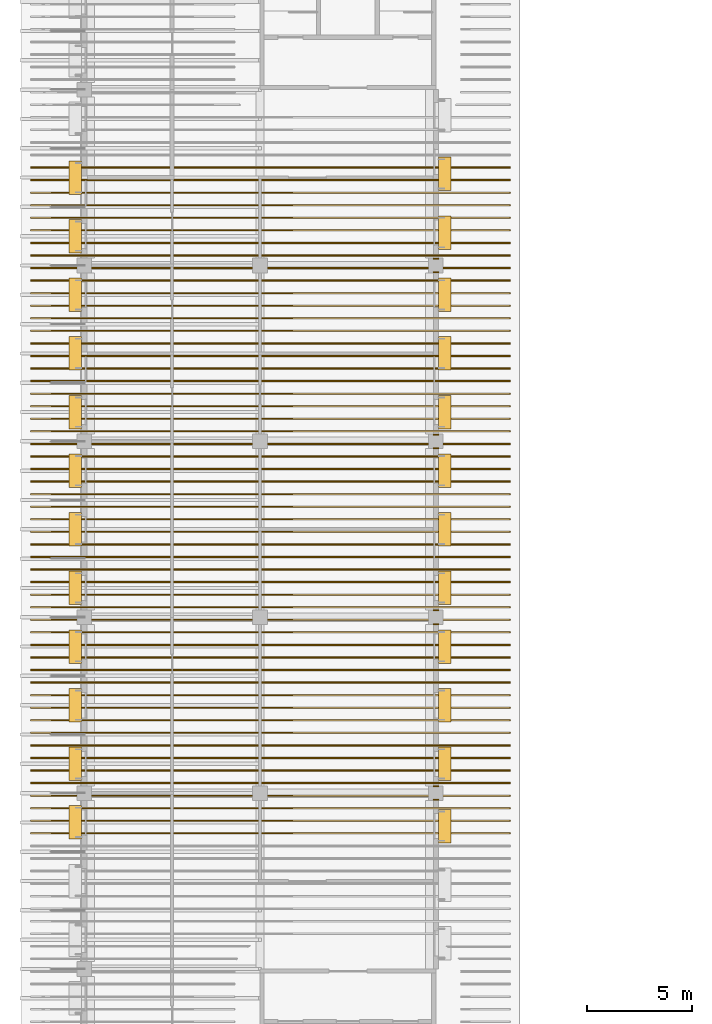
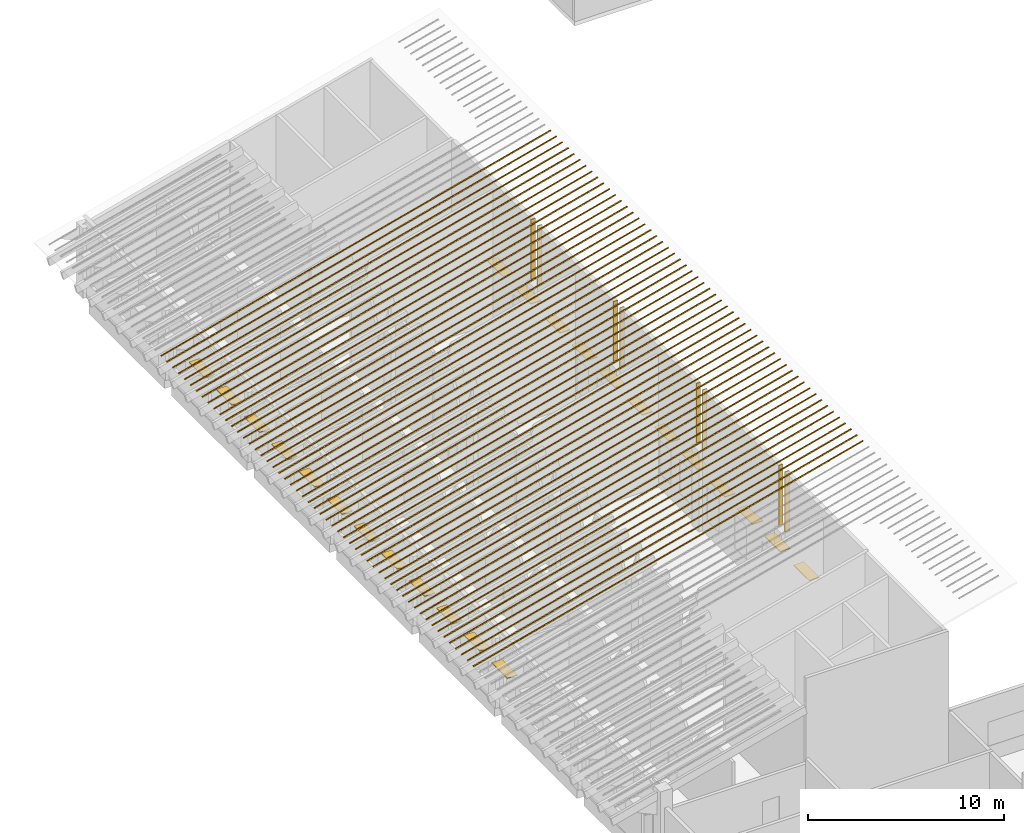
# One storey, part 53 of 82: 62 coverings, 24 shading devices.
"""IFC4 building model written with IfcOpenShell, lengths in metres."""

import ifcopenshell
import ifcopenshell.guid

model = None  # the IFC model being written
_history = None  # IfcOwnerHistory: only IFC2X3 demands one
_inside = {}  # id of a spatial element -> (the spatial element, [elements in it])
_under = {}  # id of a project, library or spatial element -> (it, [spatial elements below it])
_declared = {}  # id of a project -> (the project, [libraries it declares])
_typed = {}  # id of a type object -> (the type object, [elements of that type])
_made_of = {}  # id of a material, layer set ... -> (it, [elements and type objects made of it])


def new_model(schema):
    """Start an empty IFC model of exactly this schema.

    Asked for "IFC4X3", IfcOpenShell would pick the latest addendum, in which some entities
    have other attributes; the version numbers below select the first issue.
    IFC2X3 requires an IfcOwnerHistory on every rooted entity: one is made here for all.
    """
    global model, _history
    if schema == "IFC4X3":
        model = ifcopenshell.file(schema_version=(4, 3, 0, 0))
    else:
        model = ifcopenshell.file(schema=schema)
    _inside.clear()
    _under.clear()
    _declared.clear()
    _typed.clear()
    _made_of.clear()
    _history = None
    if model.schema == "IFC2X3":
        org = make("IfcOrganization", Name="unknown")
        user = make(
            "IfcPersonAndOrganization",
            ThePerson=make("IfcPerson", FamilyName="unknown"),
            TheOrganization=org,
        )
        app = make(
            "IfcApplication",
            ApplicationDeveloper=org,
            Version="unknown",
            ApplicationFullName="unknown",
            ApplicationIdentifier="unknown",
        )
        _history = make(
            "IfcOwnerHistory",
            OwningUser=user,
            OwningApplication=app,
            ChangeAction="ADDED",
            CreationDate=0,
        )
    return model


def make(cls, **values):
    """One entity of the class cls with the attributes given. An attribute that is None is left unset."""
    return model.create_entity(
        cls, **{name: value for name, value in values.items() if value is not None}
    )


def rooted(cls, **values):
    """An entity with a GlobalId (a new one), such as an element, a storey or a relation."""
    return make(cls, GlobalId=ifcopenshell.guid.new(), OwnerHistory=_history, **values)


def si_unit(unit_type, name, prefix=None):
    """IfcSIUnit, for example si_unit("LENGTHUNIT", "METRE", prefix="MILLI")."""
    return make("IfcSIUnit", UnitType=unit_type, Prefix=prefix, Name=name)


def assignment(units):
    """IfcUnitAssignment: the units of a project."""
    return None if units is None else make("IfcUnitAssignment", Units=units)


def point(xyz):
    """IfcCartesianPoint."""
    return None if xyz is None else make("IfcCartesianPoint", Coordinates=xyz)


def direction(xyz):
    """IfcDirection."""
    return None if xyz is None else make("IfcDirection", DirectionRatios=xyz)


def frame(location, z_axis=None, x_axis=None):
    """IfcAxis2Placement3D, a coordinate frame: its origin and axes. An axis left out is left unset."""
    return make(
        "IfcAxis2Placement3D",
        Location=point(location),
        Axis=direction(z_axis),
        RefDirection=direction(x_axis),
    )


def frame_2d(location, x_axis=None):
    """IfcAxis2Placement2D, a coordinate frame in the plane: its origin and x axis."""
    return make(
        "IfcAxis2Placement2D", Location=point(location), RefDirection=direction(x_axis)
    )


def origin():
    """The frame at (0, 0, 0) with its axes left unset."""
    return frame((0.0, 0.0, 0.0))


def origin_2d():
    """The frame at (0, 0) in the plane with its x axis left unset."""
    return frame_2d((0.0, 0.0))


def place(relative_to, where):
    """IfcLocalPlacement: puts the frame where relative to a parent placement (None: the world)."""
    return make(
        "IfcLocalPlacement", PlacementRelTo=relative_to, RelativePlacement=where
    )


def context(
    kind, dimensions, precision=None, world=None, true_north=None, identifier=None
):
    """IfcGeometricRepresentationContext, for example the 3D "Model" context."""
    return make(
        "IfcGeometricRepresentationContext",
        ContextIdentifier=identifier,
        ContextType=kind,
        CoordinateSpaceDimension=dimensions,
        Precision=precision,
        WorldCoordinateSystem=world,
        TrueNorth=true_north,
    )


def subcontext(parent, identifier, kind, view, scale=None):
    """IfcGeometricRepresentationSubContext, for example "Body" below "Model"."""
    return make(
        "IfcGeometricRepresentationSubContext",
        ContextIdentifier=identifier,
        ContextType=kind,
        ParentContext=parent,
        TargetScale=scale,
        TargetView=view,
    )


def project(units=None, contexts=None):
    """IfcProject with its units and contexts."""
    return rooted(
        "IfcProject",
        Name="project",
        RepresentationContexts=contexts,
        UnitsInContext=assignment(units),
    )


def spatial(cls, under=None, at=None, **own):
    """A site, building, storey or space (cls), placed at a placement, below another one or the project."""
    s = rooted(cls, ObjectPlacement=at, **own)
    if under is not None:
        _under.setdefault(under.id(), (under, []))[1].append(s)
    return s


def polyline(points):
    """IfcPolyline through the points."""
    return make("IfcPolyline", Points=[point(p) for p in points])


def profile(cls, at=None, kind="AREA", **sizes):
    """A parametric profile (cls). Its sizes go by their IFC names, for example OverallWidth=200.0."""
    return make(cls, ProfileType=kind, Position=at, **sizes)


def rectangle(**sizes):
    """IfcRectangleProfileDef."""
    return profile("IfcRectangleProfileDef", **sizes)


def outline(outer, holes=None, kind="AREA"):
    """IfcArbitraryClosedProfileDef: a profile drawn as a closed curve; with holes, ...WithVoids."""
    if holes is None:
        return make("IfcArbitraryClosedProfileDef", ProfileType=kind, OuterCurve=outer)
    return make(
        "IfcArbitraryProfileDefWithVoids",
        ProfileType=kind,
        OuterCurve=outer,
        InnerCurves=holes,
    )


def extrude(swept, where, along, depth):
    """IfcExtrudedAreaSolid: the profile swept, set in the frame where, extruded along a direction by depth."""
    return make(
        "IfcExtrudedAreaSolid",
        SweptArea=swept,
        Position=where,
        ExtrudedDirection=direction(along),
        Depth=depth,
    )


def shape(context_of_items, identifier, shape_type, items):
    """IfcShapeRepresentation: the items that make up one representation, for example the "Body"."""
    return make(
        "IfcShapeRepresentation",
        ContextOfItems=context_of_items,
        RepresentationIdentifier=identifier,
        RepresentationType=shape_type,
        Items=items,
    )


def material(Name=None, Category=None):
    """IfcMaterial."""
    return make("IfcMaterial", Name=Name, Category=Category)


def layer(
    of_material, thickness, ventilated=None, Name=None, Category=None, Priority=None
):
    """IfcMaterialLayer: one layer of a wall or slab, of a material (None: an air gap)."""
    return make(
        "IfcMaterialLayer",
        Material=of_material,
        LayerThickness=thickness,
        IsVentilated=ventilated,
        Name=Name,
        Category=Category,
        Priority=Priority,
    )


def layer_set(layers, Name=None):
    """IfcMaterialLayerSet."""
    return make("IfcMaterialLayerSet", MaterialLayers=layers, LayerSetName=Name)


def material_profile(
    of_material, cross_section, Name=None, Category=None, Priority=None
):
    """IfcMaterialProfile: a cross section and its material."""
    return make(
        "IfcMaterialProfile",
        Name=Name,
        Material=of_material,
        Profile=cross_section,
        Priority=Priority,
        Category=Category,
    )


def profile_set(profiles, Name=None, composite=None):
    """IfcMaterialProfileSet."""
    return make(
        "IfcMaterialProfileSet",
        Name=Name,
        MaterialProfiles=profiles,
        CompositeProfile=composite,
    )


def made_of(thing, what):
    """Note that an element or type object is made of a material, layer set ...; save() writes the relation."""
    if what is not None:
        _made_of.setdefault(what.id(), (what, []))[1].append(thing)
    return thing


def type_object(cls, material=None, **own):
    """A type object (cls), such as IfcWallType, which elements share."""
    return made_of(rooted(cls, **own), material)


def element(
    cls,
    number,
    at=None,
    inside=None,
    cuts=None,
    type_object=None,
    material=None,
    context=None,
    identifier="Body",
    shape_type=None,
    held_by="IfcProductDefinitionShape",
    body=None,
    shapes=None,
    **own,
):
    """One element of the class cls, such as IfcWall. Its Tag is "e" and its number.

    at: its placement. inside: the storey or other place that contains it. cuts: it is an
    opening in that element (IfcRelVoidsElement). A single representation is given by context,
    identifier, shape_type and body (its items); several are given by shapes. held_by: the class
    of the entity that holds the representations. save() writes the other relations.
    """
    e = rooted(cls, Tag="e%d" % number, ObjectPlacement=at, **own)
    if body is not None:
        shapes = [shape(context, identifier, shape_type, body)]
    if shapes is not None:
        e.Representation = make(held_by, Representations=shapes)
    if inside is not None:
        _inside.setdefault(inside.id(), (inside, []))[1].append(e)
    if cuts is not None:
        rooted(
            "IfcRelVoidsElement", RelatingBuildingElement=cuts, RelatedOpeningElement=e
        )
    if type_object is not None:
        _typed.setdefault(type_object.id(), (type_object, []))[1].append(e)
    return made_of(e, material)


def aggregate(whole, parts):
    """IfcRelAggregates: a whole, such as a stair, and the parts it consists of."""
    return rooted("IfcRelAggregates", RelatingObject=whole, RelatedObjects=parts)


def save(model, path):
    """Write the relations noted so far, then the file.

    IfcRelAggregates (storeys below a building ...), IfcRelContainedInSpatialStructure (elements
    in a storey), IfcRelDefinesByType, IfcRelAssociatesMaterial and IfcRelDeclares: one each for
    every whole, place, type object, material and project.
    """
    for whole, parts in _under.values():
        aggregate(whole, parts)
    for where, things in _inside.values():
        rooted(
            "IfcRelContainedInSpatialStructure",
            RelatedElements=things,
            RelatingStructure=where,
        )
    for kind, things in _typed.values():
        rooted("IfcRelDefinesByType", RelatedObjects=things, RelatingType=kind)
    for what, things in _made_of.values():
        rooted("IfcRelAssociatesMaterial", RelatedObjects=things, RelatingMaterial=what)
    for by, libraries in _declared.values():
        rooted("IfcRelDeclares", RelatingContext=by, RelatedDefinitions=libraries)
    model.write(path)


model = new_model("IFC4")

# Units and contexts
model_context = context("Model", 3, precision=1e-05, world=origin(), true_north=direction((0.0, 1.0)))
body_context = subcontext(model_context, "Body", "Model", "MODEL_VIEW")
ifc_project = project(units=[si_unit("LENGTHUNIT", "METRE"), si_unit("AREAUNIT", "SQUARE_METRE"), si_unit("VOLUMEUNIT", "CUBIC_METRE"), si_unit("PLANEANGLEUNIT", "RADIAN"), si_unit("MASSUNIT", "GRAM", prefix="KILO")], contexts=[model_context])

# Site, building, storey
site_placement = place(None, origin())
site = spatial("IfcSite", under=ifc_project, at=site_placement, CompositionType="ELEMENT")
building_placement = place(site_placement, origin())
building = spatial("IfcBuilding", under=site, at=building_placement, Name="Almond Square Museum", CompositionType="ELEMENT")
storey_placement = place(building_placement, frame((0.0, 0.0, 20.0)))
storey = spatial("IfcBuildingStorey", under=building, at=storey_placement, Name="L03", CompositionType="ELEMENT", Elevation=20.0)

# Coverings
ifc_material_1 = material(Name="Zinc standing seam")
ifc_layer_1 = layer(ifc_material_1, 0.0400390625)
ifc_layer_set_1 = layer_set([ifc_layer_1], Name="Zinc standing seam")
covering_type_1 = type_object("IfcCoveringType", Name="Roof standing seam rib 60 x 40", PredefinedType="CLADDING", material=ifc_layer_set_1)
for number, where, z_axis, x_axis, name in (
    (1, (26.35009765625, 31.7099609375, 10.329833984375), (-0.253365136604, 0.0, 0.96737071878), (-0.96737071878, 0.0, -0.253365136604), "Roof standing seam rib"),
    (2, (26.35009765625, 32.31005859375, 10.329833984375), (-0.253365136604, 0.0, 0.96737071878), (-0.96737071878, 0.0, -0.253365136604), "Roof standing seam rib"),
):
    element("IfcCovering", number, at=place(storey_placement, frame(where, z_axis=z_axis, x_axis=x_axis)), inside=storey, type_object=covering_type_1, Name=name, PredefinedType="CLADDING", context=body_context, shape_type="SweptSolid", body=[
        extrude(outline(polyline([(0.0, 0.0), (23.672565273884217, 0.0), (23.672565273884217, 0.060058593750000014), (0.0, 0.060058593750000014), (0.0, 0.0)])), origin(), (0.0, 0.0, 1.0), 0.0400390625),
    ])
covering_1_placement = place(storey_placement, frame((26.35009765625, 32.909912109375, 10.329833984375), z_axis=(-0.253365136604, 0.0, 0.96737071878), x_axis=(-0.96737071878, 0.0, -0.253365136604)))
element("IfcCovering", 3, at=covering_1_placement, inside=storey, type_object=covering_type_1, Name="Roof standing seam rib", PredefinedType="CLADDING", context=body_context, shape_type="SweptSolid", body=[
    extrude(outline(polyline([(0.0, 0.0), (23.672565273884217, 0.0), (23.672565273884217, 0.059814453125000014), (0.0, 0.059814453125000014), (0.0, 0.0)])), origin(), (0.0, 0.0, 1.0), 0.0400390625),
])
for number, where, z_axis, x_axis, name in (
    (4, (26.35009765625, 33.510009765625, 10.329833984375), (-0.253365136604, 0.0, 0.96737071878), (-0.96737071878, 0.0, -0.253365136604), "Roof standing seam rib"),
    (5, (26.35009765625, 34.110107421875, 10.329833984375), (-0.253365136604, 0.0, 0.96737071878), (-0.96737071878, 0.0, -0.253365136604), "Roof standing seam rib"),
    (6, (26.35009765625, 34.7099609375, 10.329833984375), (-0.253365136604, 0.0, 0.96737071878), (-0.96737071878, 0.0, -0.253365136604), "Roof standing seam rib"),
    (7, (26.35009765625, 35.31005859375, 10.329833984375), (-0.253365136604, 0.0, 0.96737071878), (-0.96737071878, 0.0, -0.253365136604), "Roof standing seam rib"),
):
    element("IfcCovering", number, at=place(storey_placement, frame(where, z_axis=z_axis, x_axis=x_axis)), inside=storey, type_object=covering_type_1, Name=name, PredefinedType="CLADDING", context=body_context, shape_type="SweptSolid", body=[
        extrude(outline(polyline([(0.0, 0.0), (23.672565273884217, 0.0), (23.672565273884217, 0.060058593750000014), (0.0, 0.060058593750000014), (0.0, 0.0)])), origin(), (0.0, 0.0, 1.0), 0.0400390625),
    ])
covering_2_placement = place(storey_placement, frame((26.35009765625, 35.909912109375, 10.329833984375), z_axis=(-0.253365136604, 0.0, 0.96737071878), x_axis=(-0.96737071878, 0.0, -0.253365136604)))
element("IfcCovering", 8, at=covering_2_placement, inside=storey, type_object=covering_type_1, Name="Roof standing seam rib", PredefinedType="CLADDING", context=body_context, shape_type="SweptSolid", body=[
    extrude(outline(polyline([(0.0, 0.0), (23.672565273884217, 0.0), (23.672565273884217, 0.059814453125000014), (0.0, 0.059814453125000014), (0.0, 0.0)])), origin(), (0.0, 0.0, 1.0), 0.0400390625),
])
for number, where, z_axis, x_axis, name in (
    (9, (26.35009765625, 36.510009765625, 10.329833984375), (-0.253365136604, 0.0, 0.96737071878), (-0.96737071878, 0.0, -0.253365136604), "Roof standing seam rib"),
    (10, (26.35009765625, 37.110107421875, 10.329833984375), (-0.253365136604, 0.0, 0.96737071878), (-0.96737071878, 0.0, -0.253365136604), "Roof standing seam rib"),
    (11, (26.35009765625, 37.7099609375, 10.329833984375), (-0.253365136604, 0.0, 0.96737071878), (-0.96737071878, 0.0, -0.253365136604), "Roof standing seam rib"),
    (12, (26.35009765625, 38.31005859375, 10.329833984375), (-0.253365136604, 0.0, 0.96737071878), (-0.96737071878, 0.0, -0.253365136604), "Roof standing seam rib"),
):
    element("IfcCovering", number, at=place(storey_placement, frame(where, z_axis=z_axis, x_axis=x_axis)), inside=storey, type_object=covering_type_1, Name=name, PredefinedType="CLADDING", context=body_context, shape_type="SweptSolid", body=[
        extrude(outline(polyline([(0.0, 0.0), (23.672565273884217, 0.0), (23.672565273884217, 0.060058593750000014), (0.0, 0.060058593750000014), (0.0, 0.0)])), origin(), (0.0, 0.0, 1.0), 0.0400390625),
    ])
covering_3_placement = place(storey_placement, frame((26.35009765625, 38.909912109375, 10.329833984375), z_axis=(-0.253365136604, 0.0, 0.96737071878), x_axis=(-0.96737071878, 0.0, -0.253365136604)))
element("IfcCovering", 13, at=covering_3_placement, inside=storey, type_object=covering_type_1, Name="Roof standing seam rib", PredefinedType="CLADDING", context=body_context, shape_type="SweptSolid", body=[
    extrude(outline(polyline([(0.0, 0.0), (23.672565273884217, 0.0), (23.672565273884217, 0.059814453125000014), (0.0, 0.059814453125000014), (0.0, 0.0)])), origin(), (0.0, 0.0, 1.0), 0.0400390625),
])
for number, where, z_axis, x_axis, name in (
    (14, (26.35009765625, 39.510009765625, 10.329833984375), (-0.253365136604, 0.0, 0.96737071878), (-0.96737071878, 0.0, -0.253365136604), "Roof standing seam rib"),
    (15, (26.35009765625, 40.110107421875, 10.329833984375), (-0.253365136604, 0.0, 0.96737071878), (-0.96737071878, 0.0, -0.253365136604), "Roof standing seam rib"),
    (16, (26.35009765625, 40.7099609375, 10.329833984375), (-0.253365136604, 0.0, 0.96737071878), (-0.96737071878, 0.0, -0.253365136604), "Roof standing seam rib"),
    (17, (26.35009765625, 41.31005859375, 10.329833984375), (-0.253365136604, 0.0, 0.96737071878), (-0.96737071878, 0.0, -0.253365136604), "Roof standing seam rib"),
):
    element("IfcCovering", number, at=place(storey_placement, frame(where, z_axis=z_axis, x_axis=x_axis)), inside=storey, type_object=covering_type_1, Name=name, PredefinedType="CLADDING", context=body_context, shape_type="SweptSolid", body=[
        extrude(outline(polyline([(0.0, 0.0), (23.672565273884217, 0.0), (23.672565273884217, 0.060058593750000014), (0.0, 0.060058593750000014), (0.0, 0.0)])), origin(), (0.0, 0.0, 1.0), 0.0400390625),
    ])
covering_4_placement = place(storey_placement, frame((26.35009765625, 41.909912109375, 10.329833984375), z_axis=(-0.253365136604, 0.0, 0.96737071878), x_axis=(-0.96737071878, 0.0, -0.253365136604)))
element("IfcCovering", 18, at=covering_4_placement, inside=storey, type_object=covering_type_1, Name="Roof standing seam rib", PredefinedType="CLADDING", context=body_context, shape_type="SweptSolid", body=[
    extrude(outline(polyline([(0.0, 0.0), (23.672565273884217, 0.0), (23.672565273884217, 0.059814453125000014), (0.0, 0.059814453125000014), (0.0, 0.0)])), origin(), (0.0, 0.0, 1.0), 0.0400390625),
])
for number, where, z_axis, x_axis, name in (
    (19, (26.35009765625, 42.510009765625, 10.329833984375), (-0.253365136604, 0.0, 0.96737071878), (-0.96737071878, 0.0, -0.253365136604), "Roof standing seam rib"),
    (20, (26.35009765625, 43.110107421875, 10.329833984375), (-0.253365136604, 0.0, 0.96737071878), (-0.96737071878, 0.0, -0.253365136604), "Roof standing seam rib"),
    (21, (26.35009765625, 43.7099609375, 10.329833984375), (-0.253365136604, 0.0, 0.96737071878), (-0.96737071878, 0.0, -0.253365136604), "Roof standing seam rib"),
    (22, (26.35009765625, 44.31005859375, 10.329833984375), (-0.253365136604, 0.0, 0.96737071878), (-0.96737071878, 0.0, -0.253365136604), "Roof standing seam rib"),
):
    element("IfcCovering", number, at=place(storey_placement, frame(where, z_axis=z_axis, x_axis=x_axis)), inside=storey, type_object=covering_type_1, Name=name, PredefinedType="CLADDING", context=body_context, shape_type="SweptSolid", body=[
        extrude(outline(polyline([(0.0, 0.0), (23.672565273884217, 0.0), (23.672565273884217, 0.060058593750000014), (0.0, 0.060058593750000014), (0.0, 0.0)])), origin(), (0.0, 0.0, 1.0), 0.0400390625),
    ])
covering_5_placement = place(storey_placement, frame((26.35009765625, 44.909912109375, 10.329833984375), z_axis=(-0.253365136604, 0.0, 0.96737071878), x_axis=(-0.96737071878, 0.0, -0.253365136604)))
element("IfcCovering", 23, at=covering_5_placement, inside=storey, type_object=covering_type_1, Name="Roof standing seam rib", PredefinedType="CLADDING", context=body_context, shape_type="SweptSolid", body=[
    extrude(outline(polyline([(0.0, 0.0), (23.672565273884217, 0.0), (23.672565273884217, 0.059814453125000014), (0.0, 0.059814453125000014), (0.0, 0.0)])), origin(), (0.0, 0.0, 1.0), 0.0400390625),
])
for number, where, z_axis, x_axis, name in (
    (24, (26.35009765625, 45.510009765625, 10.329833984375), (-0.253365136604, 0.0, 0.96737071878), (-0.96737071878, 0.0, -0.253365136604), "Roof standing seam rib"),
    (25, (26.35009765625, 46.110107421875, 10.329833984375), (-0.253365136604, 0.0, 0.96737071878), (-0.96737071878, 0.0, -0.253365136604), "Roof standing seam rib"),
    (26, (26.35009765625, 46.7099609375, 10.329833984375), (-0.253365136604, 0.0, 0.96737071878), (-0.96737071878, 0.0, -0.253365136604), "Roof standing seam rib"),
    (27, (26.35009765625, 47.31005859375, 10.329833984375), (-0.253365136604, 0.0, 0.96737071878), (-0.96737071878, 0.0, -0.253365136604), "Roof standing seam rib"),
):
    element("IfcCovering", number, at=place(storey_placement, frame(where, z_axis=z_axis, x_axis=x_axis)), inside=storey, type_object=covering_type_1, Name=name, PredefinedType="CLADDING", context=body_context, shape_type="SweptSolid", body=[
        extrude(outline(polyline([(0.0, 0.0), (23.672565273884217, 0.0), (23.672565273884217, 0.060058593750000014), (0.0, 0.060058593750000014), (0.0, 0.0)])), origin(), (0.0, 0.0, 1.0), 0.0400390625),
    ])
covering_6_placement = place(storey_placement, frame((26.35009765625, 47.909912109375, 10.329833984375), z_axis=(-0.253365136604, 0.0, 0.96737071878), x_axis=(-0.96737071878, 0.0, -0.253365136604)))
element("IfcCovering", 28, at=covering_6_placement, inside=storey, type_object=covering_type_1, Name="Roof standing seam rib", PredefinedType="CLADDING", context=body_context, shape_type="SweptSolid", body=[
    extrude(outline(polyline([(0.0, 0.0), (23.672565273884217, 0.0), (23.672565273884217, 0.059814453125000014), (0.0, 0.059814453125000014), (0.0, 0.0)])), origin(), (0.0, 0.0, 1.0), 0.0400390625),
])
for number, where, z_axis, x_axis, name in (
    (29, (26.35009765625, 48.510009765625, 10.329833984375), (-0.253365136604, 0.0, 0.96737071878), (-0.96737071878, 0.0, -0.253365136604), "Roof standing seam rib"),
    (30, (26.35009765625, 49.110107421875, 10.329833984375), (-0.253365136604, 0.0, 0.96737071878), (-0.96737071878, 0.0, -0.253365136604), "Roof standing seam rib"),
    (31, (26.35009765625, 49.7099609375, 10.329833984375), (-0.253365136604, 0.0, 0.96737071878), (-0.96737071878, 0.0, -0.253365136604), "Roof standing seam rib"),
    (32, (26.35009765625, 50.31005859375, 10.329833984375), (-0.253365136604, 0.0, 0.96737071878), (-0.96737071878, 0.0, -0.253365136604), "Roof standing seam rib"),
):
    element("IfcCovering", number, at=place(storey_placement, frame(where, z_axis=z_axis, x_axis=x_axis)), inside=storey, type_object=covering_type_1, Name=name, PredefinedType="CLADDING", context=body_context, shape_type="SweptSolid", body=[
        extrude(outline(polyline([(0.0, 0.0), (23.672565273884217, 0.0), (23.672565273884217, 0.060058593750000014), (0.0, 0.060058593750000014), (0.0, 0.0)])), origin(), (0.0, 0.0, 1.0), 0.0400390625),
    ])
covering_7_placement = place(storey_placement, frame((26.35009765625, 50.909912109375, 10.329833984375), z_axis=(-0.253365136604, 0.0, 0.96737071878), x_axis=(-0.96737071878, 0.0, -0.253365136604)))
element("IfcCovering", 33, at=covering_7_placement, inside=storey, type_object=covering_type_1, Name="Roof standing seam rib", PredefinedType="CLADDING", context=body_context, shape_type="SweptSolid", body=[
    extrude(outline(polyline([(0.0, 0.0), (23.672565273884217, 0.0), (23.672565273884217, 0.059814453125000014), (0.0, 0.059814453125000014), (0.0, 0.0)])), origin(), (0.0, 0.0, 1.0), 0.0400390625),
])
for number, where, z_axis, x_axis, name in (
    (34, (26.35009765625, 51.510009765625, 10.329833984375), (-0.253365136604, 0.0, 0.96737071878), (-0.96737071878, 0.0, -0.253365136604), "Roof standing seam rib"),
    (35, (26.35009765625, 52.110107421875, 10.329833984375), (-0.253365136604, 0.0, 0.96737071878), (-0.96737071878, 0.0, -0.253365136604), "Roof standing seam rib"),
    (36, (26.35009765625, 52.7099609375, 10.329833984375), (-0.253365136604, 0.0, 0.96737071878), (-0.96737071878, 0.0, -0.253365136604), "Roof standing seam rib"),
    (37, (26.35009765625, 53.31005859375, 10.329833984375), (-0.253365136604, 0.0, 0.96737071878), (-0.96737071878, 0.0, -0.253365136604), "Roof standing seam rib"),
):
    element("IfcCovering", number, at=place(storey_placement, frame(where, z_axis=z_axis, x_axis=x_axis)), inside=storey, type_object=covering_type_1, Name=name, PredefinedType="CLADDING", context=body_context, shape_type="SweptSolid", body=[
        extrude(outline(polyline([(0.0, 0.0), (23.672565273884217, 0.0), (23.672565273884217, 0.060058593750000014), (0.0, 0.060058593750000014), (0.0, 0.0)])), origin(), (0.0, 0.0, 1.0), 0.0400390625),
    ])
covering_8_placement = place(storey_placement, frame((26.35009765625, 53.909912109375, 10.329833984375), z_axis=(-0.253365136604, 0.0, 0.96737071878), x_axis=(-0.96737071878, 0.0, -0.253365136604)))
element("IfcCovering", 38, at=covering_8_placement, inside=storey, type_object=covering_type_1, Name="Roof standing seam rib", PredefinedType="CLADDING", context=body_context, shape_type="SweptSolid", body=[
    extrude(outline(polyline([(0.0, 0.0), (23.672565273884217, 0.0), (23.672565273884217, 0.059814453125000014), (0.0, 0.059814453125000014), (0.0, 0.0)])), origin(), (0.0, 0.0, 1.0), 0.0400390625),
])
for number, where, z_axis, x_axis, name in (
    (39, (26.35009765625, 54.510009765625, 10.329833984375), (-0.253365136604, 0.0, 0.96737071878), (-0.96737071878, 0.0, -0.253365136604), "Roof standing seam rib"),
    (40, (26.35009765625, 55.110107421875, 10.329833984375), (-0.253365136604, 0.0, 0.96737071878), (-0.96737071878, 0.0, -0.253365136604), "Roof standing seam rib"),
    (41, (26.35009765625, 55.7099609375, 10.329833984375), (-0.253365136604, 0.0, 0.96737071878), (-0.96737071878, 0.0, -0.253365136604), "Roof standing seam rib"),
    (42, (26.35009765625, 56.31005859375, 10.329833984375), (-0.253365136604, 0.0, 0.96737071878), (-0.96737071878, 0.0, -0.253365136604), "Roof standing seam rib"),
):
    element("IfcCovering", number, at=place(storey_placement, frame(where, z_axis=z_axis, x_axis=x_axis)), inside=storey, type_object=covering_type_1, Name=name, PredefinedType="CLADDING", context=body_context, shape_type="SweptSolid", body=[
        extrude(outline(polyline([(0.0, 0.0), (23.672565273884217, 0.0), (23.672565273884217, 0.060058593750000014), (0.0, 0.060058593750000014), (0.0, 0.0)])), origin(), (0.0, 0.0, 1.0), 0.0400390625),
    ])
covering_9_placement = place(storey_placement, frame((26.35009765625, 56.909912109375, 10.329833984375), z_axis=(-0.253365136604, 0.0, 0.96737071878), x_axis=(-0.96737071878, 0.0, -0.253365136604)))
element("IfcCovering", 43, at=covering_9_placement, inside=storey, type_object=covering_type_1, Name="Roof standing seam rib", PredefinedType="CLADDING", context=body_context, shape_type="SweptSolid", body=[
    extrude(outline(polyline([(0.0, 0.0), (23.672565273884217, 0.0), (23.672565273884217, 0.059814453125000014), (0.0, 0.059814453125000014), (0.0, 0.0)])), origin(), (0.0, 0.0, 1.0), 0.0400390625),
])
for number, where, z_axis, x_axis, name in (
    (44, (26.35009765625, 57.510009765625, 10.329833984375), (-0.253365136604, 0.0, 0.96737071878), (-0.96737071878, 0.0, -0.253365136604), "Roof standing seam rib"),
    (45, (26.35009765625, 58.110107421875, 10.329833984375), (-0.253365136604, 0.0, 0.96737071878), (-0.96737071878, 0.0, -0.253365136604), "Roof standing seam rib"),
    (46, (26.35009765625, 58.7099609375, 10.329833984375), (-0.253365136604, 0.0, 0.96737071878), (-0.96737071878, 0.0, -0.253365136604), "Roof standing seam rib"),
    (47, (26.35009765625, 59.31005859375, 10.329833984375), (-0.253365136604, 0.0, 0.96737071878), (-0.96737071878, 0.0, -0.253365136604), "Roof standing seam rib"),
):
    element("IfcCovering", number, at=place(storey_placement, frame(where, z_axis=z_axis, x_axis=x_axis)), inside=storey, type_object=covering_type_1, Name=name, PredefinedType="CLADDING", context=body_context, shape_type="SweptSolid", body=[
        extrude(outline(polyline([(0.0, 0.0), (23.672565273884217, 0.0), (23.672565273884217, 0.060058593750000014), (0.0, 0.060058593750000014), (0.0, 0.0)])), origin(), (0.0, 0.0, 1.0), 0.0400390625),
    ])
covering_10_placement = place(storey_placement, frame((26.35009765625, 59.909912109375, 10.329833984375), z_axis=(-0.253365136604, 0.0, 0.96737071878), x_axis=(-0.96737071878, 0.0, -0.253365136604)))
element("IfcCovering", 48, at=covering_10_placement, inside=storey, type_object=covering_type_1, Name="Roof standing seam rib", PredefinedType="CLADDING", context=body_context, shape_type="SweptSolid", body=[
    extrude(outline(polyline([(0.0, 0.0), (23.672565273884217, 0.0), (23.672565273884217, 0.059814453125000014), (0.0, 0.059814453125000014), (0.0, 0.0)])), origin(), (0.0, 0.0, 1.0), 0.0400390625),
])
for number, where, z_axis, x_axis, name in (
    (49, (26.35009765625, 60.510009765625, 10.329833984375), (-0.253365136604, 0.0, 0.96737071878), (-0.96737071878, 0.0, -0.253365136604), "Roof standing seam rib"),
    (50, (26.35009765625, 61.110107421875, 10.329833984375), (-0.253365136604, 0.0, 0.96737071878), (-0.96737071878, 0.0, -0.253365136604), "Roof standing seam rib"),
    (51, (26.35009765625, 61.7099609375, 10.329833984375), (-0.253365136604, 0.0, 0.96737071878), (-0.96737071878, 0.0, -0.253365136604), "Roof standing seam rib"),
    (52, (26.35009765625, 62.31005859375, 10.329833984375), (-0.253365136604, 0.0, 0.96737071878), (-0.96737071878, 0.0, -0.253365136604), "Roof standing seam rib"),
):
    element("IfcCovering", number, at=place(storey_placement, frame(where, z_axis=z_axis, x_axis=x_axis)), inside=storey, type_object=covering_type_1, Name=name, PredefinedType="CLADDING", context=body_context, shape_type="SweptSolid", body=[
        extrude(outline(polyline([(0.0, 0.0), (23.672565273884217, 0.0), (23.672565273884217, 0.060058593750000014), (0.0, 0.060058593750000014), (0.0, 0.0)])), origin(), (0.0, 0.0, 1.0), 0.0400390625),
    ])
covering_11_placement = place(storey_placement, frame((26.35009765625, 62.909912109375, 10.329833984375), z_axis=(-0.253365136604, 0.0, 0.96737071878), x_axis=(-0.96737071878, 0.0, -0.253365136604)))
element("IfcCovering", 53, at=covering_11_placement, inside=storey, type_object=covering_type_1, Name="Roof standing seam rib", PredefinedType="CLADDING", context=body_context, shape_type="SweptSolid", body=[
    extrude(outline(polyline([(0.0, 0.0), (23.672565273884217, 0.0), (23.672565273884217, 0.059814453125000014), (0.0, 0.059814453125000014), (0.0, 0.0)])), origin(), (0.0, 0.0, 1.0), 0.0400390625),
])
covering_12_placement = place(storey_placement, frame((26.35009765625, 63.510009765625, 10.329833984375), z_axis=(-0.253365136604, 0.0, 0.96737071878), x_axis=(-0.96737071878, 0.0, -0.253365136604)))
element("IfcCovering", 54, at=covering_12_placement, inside=storey, type_object=covering_type_1, Name="Roof standing seam rib", PredefinedType="CLADDING", context=body_context, shape_type="SweptSolid", body=[
    extrude(outline(polyline([(0.0, 0.0), (23.672565273884217, 0.0), (23.672565273884217, 0.060058593750000014), (0.0, 0.060058593750000014), (0.0, 0.0)])), origin(), (0.0, 0.0, 1.0), 0.0400390625),
])

# Shading devices
ifc_material_2 = material(Name="Anodised aluminium", Category="aluminium")
ifc_material_profile = material_profile(ifc_material_2, rectangle(XDim=0.60009765625, YDim=0.050048828125, at=origin_2d()))
ifc_profile_set = profile_set([ifc_material_profile], Name="Anodised aluminium")
shading_device_type = type_object("IfcShadingDeviceType", Name="Sun-shade blade 600 x 50", PredefinedType="USERDEFINED", material=ifc_profile_set)
shading_device_1_placement = place(storey_placement, frame((23.222900390625, 31.22509765625, 3.1201171875), z_axis=(0.0, 1.0, 0.0), x_axis=(-1.0, 0.0, 0.0)))
element("IfcShadingDevice", 55, at=shading_device_1_placement, inside=storey, type_object=shading_device_type, Name="Sun-shade blade", ObjectType="LOUVRE", PredefinedType="USERDEFINED", context=body_context, shape_type="SweptSolid", body=[
    extrude(rectangle(XDim=0.60009765625, YDim=0.050048828125, at=origin_2d()), origin(), (0.0, 0.0, 1.0), 1.599853515625),
])
for number, where, z_axis, x_axis, name in (
    (56, (23.222900390625, 34.199951171875, 3.1201171875), (0.0, 1.0, 0.0), (-1.0, 0.0, 0.0), "Sun-shade blade"),
    (57, (23.222900390625, 37.0, 3.1201171875), (0.0, 1.0, 0.0), (-1.0, 0.0, 0.0), "Sun-shade blade"),
):
    element("IfcShadingDevice", number, at=place(storey_placement, frame(where, z_axis=z_axis, x_axis=x_axis)), inside=storey, type_object=shading_device_type, Name=name, ObjectType="LOUVRE", PredefinedType="USERDEFINED", context=body_context, shape_type="SweptSolid", body=[
        extrude(rectangle(XDim=0.60009765625, YDim=0.050048828125, at=origin_2d()), origin(), (0.0, 0.0, 1.0), 1.60009765625),
    ])
for number, where, z_axis, x_axis, name in (
    (58, (23.222900390625, 39.800048828125, 3.1201171875), (0.0, 1.0, 0.0), (-1.0, 0.0, 0.0), "Sun-shade blade"),
    (59, (23.222900390625, 42.60009765625, 3.1201171875), (0.0, 1.0, 0.0), (-1.0, 0.0, 0.0), "Sun-shade blade"),
):
    element("IfcShadingDevice", number, at=place(storey_placement, frame(where, z_axis=z_axis, x_axis=x_axis)), inside=storey, type_object=shading_device_type, Name=name, ObjectType="LOUVRE", PredefinedType="USERDEFINED", context=body_context, shape_type="SweptSolid", body=[
        extrude(rectangle(XDim=0.60009765625, YDim=0.050048828125, at=origin_2d()), origin(), (0.0, 0.0, 1.0), 1.599853515625),
    ])
for number, where, z_axis, x_axis, name in (
    (60, (23.222900390625, 45.39990234375, 3.1201171875), (0.0, 1.0, 0.0), (-1.0, 0.0, 0.0), "Sun-shade blade"),
    (61, (23.222900390625, 48.199951171875, 3.1201171875), (0.0, 1.0, 0.0), (-1.0, 0.0, 0.0), "Sun-shade blade"),
    (62, (23.222900390625, 51.0, 3.1201171875), (0.0, 1.0, 0.0), (-1.0, 0.0, 0.0), "Sun-shade blade"),
):
    element("IfcShadingDevice", number, at=place(storey_placement, frame(where, z_axis=z_axis, x_axis=x_axis)), inside=storey, type_object=shading_device_type, Name=name, ObjectType="LOUVRE", PredefinedType="USERDEFINED", context=body_context, shape_type="SweptSolid", body=[
        extrude(rectangle(XDim=0.60009765625, YDim=0.050048828125, at=origin_2d()), origin(), (0.0, 0.0, 1.0), 1.60009765625),
    ])
for number, where, z_axis, x_axis, name in (
    (63, (23.222900390625, 53.800048828125, 3.1201171875), (0.0, 1.0, 0.0), (-1.0, 0.0, 0.0), "Sun-shade blade"),
    (64, (23.222900390625, 56.60009765625, 3.1201171875), (0.0, 1.0, 0.0), (-1.0, 0.0, 0.0), "Sun-shade blade"),
):
    element("IfcShadingDevice", number, at=place(storey_placement, frame(where, z_axis=z_axis, x_axis=x_axis)), inside=storey, type_object=shading_device_type, Name=name, ObjectType="LOUVRE", PredefinedType="USERDEFINED", context=body_context, shape_type="SweptSolid", body=[
        extrude(rectangle(XDim=0.60009765625, YDim=0.050048828125, at=origin_2d()), origin(), (0.0, 0.0, 1.0), 1.599853515625),
    ])
for number, where, z_axis, x_axis, name in (
    (65, (23.222900390625, 59.574951171875, 3.1201171875), (0.0, 1.0, 0.0), (-1.0, 0.0, 0.0), "Sun-shade blade"),
    (66, (23.222900390625, 62.375, 3.1201171875), (0.0, 1.0, 0.0), (-1.0, 0.0, 0.0), "Sun-shade blade"),
    (67, (5.576904296875, 59.39990234375, 3.1201171875), (0.0, 1.0, 0.0), (-1.0, 0.0, 0.0), "Sun-shade blade"),
    (68, (5.576904296875, 62.199951171875, 3.1201171875), (0.0, 1.0, 0.0), (-1.0, 0.0, 0.0), "Sun-shade blade"),
    (69, (5.576904296875, 51.0, 3.1201171875), (0.0, 1.0, 0.0), (-1.0, 0.0, 0.0), "Sun-shade blade"),
):
    element("IfcShadingDevice", number, at=place(storey_placement, frame(where, z_axis=z_axis, x_axis=x_axis)), inside=storey, type_object=shading_device_type, Name=name, ObjectType="LOUVRE", PredefinedType="USERDEFINED", context=body_context, shape_type="SweptSolid", body=[
        extrude(rectangle(XDim=0.60009765625, YDim=0.050048828125, at=origin_2d()), origin(), (0.0, 0.0, 1.0), 1.60009765625),
    ])
for number, where, z_axis, x_axis, name in (
    (70, (5.576904296875, 53.800048828125, 3.1201171875), (0.0, 1.0, 0.0), (-1.0, 0.0, 0.0), "Sun-shade blade"),
    (71, (5.576904296875, 56.60009765625, 3.1201171875), (0.0, 1.0, 0.0), (-1.0, 0.0, 0.0), "Sun-shade blade"),
    (72, (5.576904296875, 42.60009765625, 3.1201171875), (0.0, 1.0, 0.0), (-1.0, 0.0, 0.0), "Sun-shade blade"),
):
    element("IfcShadingDevice", number, at=place(storey_placement, frame(where, z_axis=z_axis, x_axis=x_axis)), inside=storey, type_object=shading_device_type, Name=name, ObjectType="LOUVRE", PredefinedType="USERDEFINED", context=body_context, shape_type="SweptSolid", body=[
        extrude(rectangle(XDim=0.60009765625, YDim=0.050048828125, at=origin_2d()), origin(), (0.0, 0.0, 1.0), 1.599853515625),
    ])
for number, where, z_axis, x_axis, name in (
    (73, (5.576904296875, 45.39990234375, 3.1201171875), (0.0, 1.0, 0.0), (-1.0, 0.0, 0.0), "Sun-shade blade"),
    (74, (5.576904296875, 48.199951171875, 3.1201171875), (0.0, 1.0, 0.0), (-1.0, 0.0, 0.0), "Sun-shade blade"),
    (75, (5.576904296875, 34.199951171875, 3.1201171875), (0.0, 1.0, 0.0), (-1.0, 0.0, 0.0), "Sun-shade blade"),
    (76, (5.576904296875, 37.0, 3.1201171875), (0.0, 1.0, 0.0), (-1.0, 0.0, 0.0), "Sun-shade blade"),
):
    element("IfcShadingDevice", number, at=place(storey_placement, frame(where, z_axis=z_axis, x_axis=x_axis)), inside=storey, type_object=shading_device_type, Name=name, ObjectType="LOUVRE", PredefinedType="USERDEFINED", context=body_context, shape_type="SweptSolid", body=[
        extrude(rectangle(XDim=0.60009765625, YDim=0.050048828125, at=origin_2d()), origin(), (0.0, 0.0, 1.0), 1.60009765625),
    ])
shading_device_2_placement = place(storey_placement, frame((5.576904296875, 39.800048828125, 3.1201171875), z_axis=(0.0, 1.0, 0.0), x_axis=(-1.0, 0.0, 0.0)))
element("IfcShadingDevice", 77, at=shading_device_2_placement, inside=storey, type_object=shading_device_type, Name="Sun-shade blade", ObjectType="LOUVRE", PredefinedType="USERDEFINED", context=body_context, shape_type="SweptSolid", body=[
    extrude(rectangle(XDim=0.60009765625, YDim=0.050048828125, at=origin_2d()), origin(), (0.0, 0.0, 1.0), 1.599853515625),
])
shading_device_3_placement = place(storey_placement, frame((5.576904296875, 31.39990234375, 3.1201171875), z_axis=(0.0, 1.0, 0.0), x_axis=(-1.0, 0.0, 0.0)))
element("IfcShadingDevice", 78, at=shading_device_3_placement, inside=storey, type_object=shading_device_type, Name="Sun-shade blade", ObjectType="LOUVRE", PredefinedType="USERDEFINED", context=body_context, shape_type="SweptSolid", body=[
    extrude(rectangle(XDim=0.60009765625, YDim=0.050048828125, at=origin_2d()), origin(), (0.0, 0.0, 1.0), 1.60009765625),
])

# Coverings
ifc_material_3 = material(Name="Cladding panel to match the wall")
ifc_layer_2 = layer(ifc_material_3, 0.050048828125)
ifc_layer_set_2 = layer_set([ifc_layer_2], Name="Cladding panel to match the wall")
covering_type_2 = type_object("IfcCoveringType", Name="Wall end closure panel", PredefinedType="CLADDING", material=ifc_layer_set_2)
for number, where, z_axis, x_axis, name in (
    (79, (22.800048828125, 33.27490234375, 5.0), (0.0, 0.0, 1.0), (1.0, 0.0, 0.0), "Wall end closure panel"),
    (80, (22.800048828125, 33.925048828125, 5.0), (0.0, 0.0, 1.0), (1.0, 0.0, 0.0), "Wall end closure panel"),
    (81, (22.800048828125, 41.675048828125, 5.0), (0.0, 0.0, 1.0), (1.0, 0.0, 0.0), "Wall end closure panel"),
    (82, (22.800048828125, 42.324951171875, 5.0), (0.0, 0.0, 1.0), (1.0, 0.0, 0.0), "Wall end closure panel"),
    (83, (22.800048828125, 50.074951171875, 5.0), (0.0, 0.0, 1.0), (1.0, 0.0, 0.0), "Wall end closure panel"),
    (84, (22.800048828125, 50.72509765625, 5.0), (0.0, 0.0, 1.0), (1.0, 0.0, 0.0), "Wall end closure panel"),
    (85, (22.800048828125, 58.47509765625, 5.0), (0.0, 0.0, 1.0), (1.0, 0.0, 0.0), "Wall end closure panel"),
    (86, (22.800048828125, 59.125, 5.0), (0.0, 0.0, 1.0), (1.0, 0.0, 0.0), "Wall end closure panel"),
):
    element("IfcCovering", number, at=place(storey_placement, frame(where, z_axis=z_axis, x_axis=x_axis)), inside=storey, type_object=covering_type_2, Name=name, PredefinedType="CLADDING", context=body_context, shape_type="SweptSolid", body=[
        extrude(rectangle(XDim=0.25, YDim=0.050048828125, at=origin_2d()), origin(), (0.0, 0.0, 1.0), 3.7451171875),
    ])

save(model, "model.ifc")
